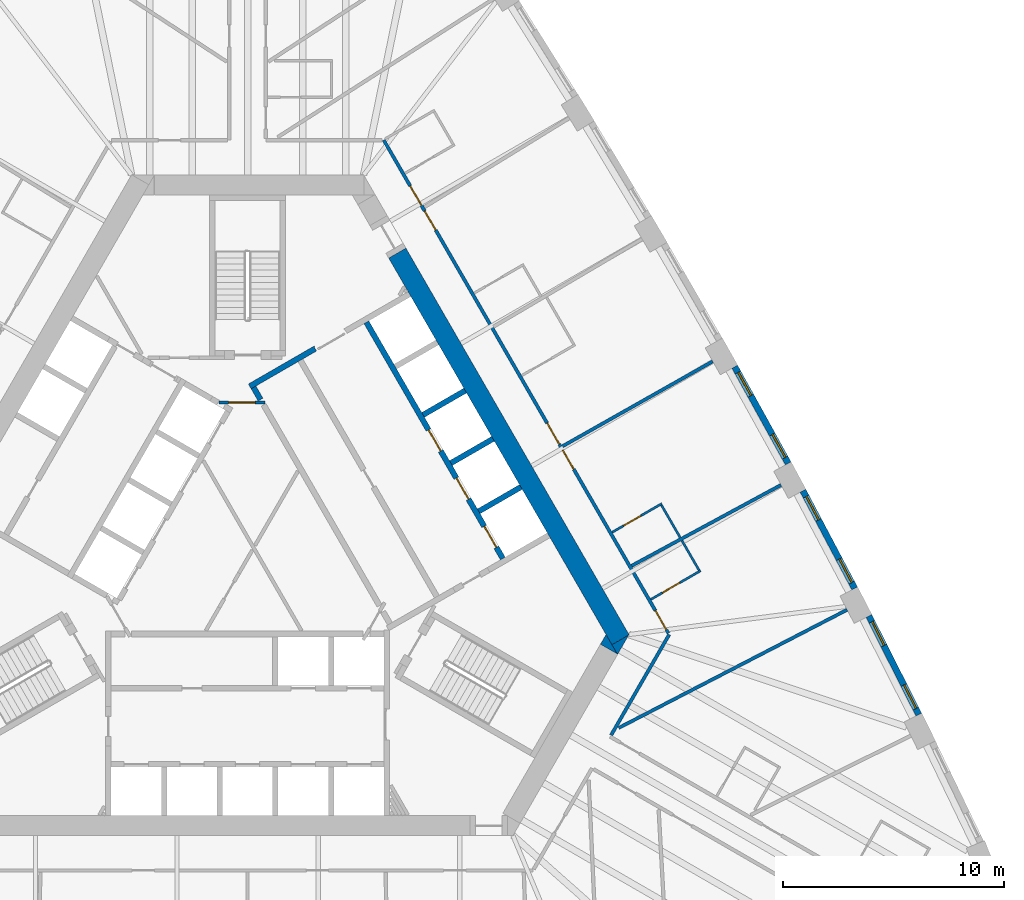
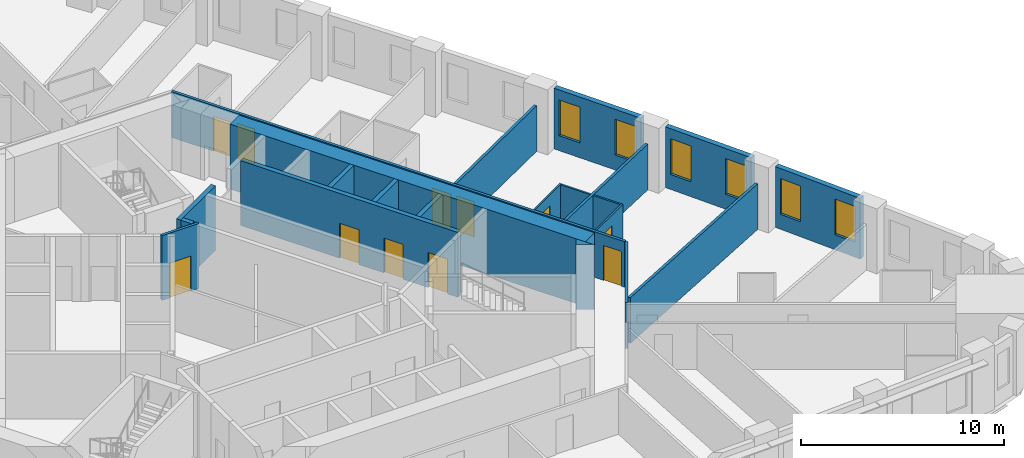
# One storey, part 8 of 12: 22 walls, 11 doors, 6 windows, 17 openings.
"""IFC4 building model written with IfcOpenShell, lengths in metres."""

from ifc_helpers import new_model, si_unit, direction, frame, frame_2d, origin, place, context, subcontext, project, spatial, polyline, rectangle, outline, extrude, material, layer, layer_set, type_object, element, fill, save


model = new_model("IFC4")

# Units and contexts
model_context = context("Model", 3, precision=1e-05, world=origin(), true_north=direction((0.0, 1.0)))
body_context = subcontext(model_context, "Body", "Model", "MODEL_VIEW")
ifc_project = project(units=[si_unit("LENGTHUNIT", "METRE"), si_unit("AREAUNIT", "SQUARE_METRE"), si_unit("VOLUMEUNIT", "CUBIC_METRE"), si_unit("PLANEANGLEUNIT", "RADIAN"), si_unit("MASSUNIT", "GRAM", prefix="KILO")], contexts=[model_context])

# Site, building, storey
site_placement = place(None, origin())
site = spatial("IfcSite", under=ifc_project, at=site_placement, CompositionType="ELEMENT")
building_placement = place(site_placement, origin())
building = spatial("IfcBuilding", under=site, at=building_placement, Name="Mestral Congress Tower", CompositionType="ELEMENT")
storey_placement = place(building_placement, frame((0.0, 0.0, 47.10009765625)))
storey = spatial("IfcBuildingStorey", under=building, at=storey_placement, Name="L10", CompositionType="ELEMENT", Elevation=47.10009765625)

# Walls
ifc_material_1 = material(Name="Concrete C60/75", Category="concrete")
ifc_layer_1 = layer(ifc_material_1, 0.89990234375)
ifc_layer_set_1 = layer_set([ifc_layer_1], Name="Concrete C60/75")
wall_type_1 = type_object("IfcWallType", Name="Core wall RC 900", PredefinedType="SOLIDWALL", material=ifc_layer_set_1)
wall_1_placement = place(storey_placement, frame((6.77587890625, 13.36376953125, 0.0), z_axis=(0.0, 0.0, 1.0), x_axis=(0.500004177138, -0.8660229921, 0.0)))
element("IfcWall", 1, at=wall_1_placement, inside=storey, type_object=wall_type_1, Name="L10 core wall", PredefinedType="SOLIDWALL", context=body_context, shape_type="SweptSolid", body=[
    extrude(rectangle(XDim=20.203857421875, YDim=0.89990234375, at=frame_2d((10.10205078125, 0.0))), origin(), (0.0, 0.0, 1.0), 3.89990234375),
])
placement = place(storey_placement, origin())
element("IfcWall", 2, at=placement, inside=storey, type_object=wall_type_1, Name="L10 core wall", PredefinedType="SOLIDWALL", context=body_context, shape_type="SweptSolid", body=[
    extrude(outline(polyline([(16.7431640625, -4.800048828125), (16.4892578125, -4.360107421875), (17.251220703125, -3.920166015625), (16.7431640625, -4.800048828125)])), origin(), (0.0, 0.0, 1.0), 3.89990234375),
])
element("IfcWall", 3, at=placement, inside=storey, type_object=wall_type_1, Name="L10 core wall", PredefinedType="SOLIDWALL", context=body_context, shape_type="SweptSolid", body=[
    extrude(outline(polyline([(16.223388671875, -3.89990234375), (16.731689453125, -4.780029296875), (15.969482421875, -4.33984375), (16.223388671875, -3.89990234375)])), origin(), (0.0, 0.0, 1.0), 3.89990234375),
])

# Wall, openings, windows
ifc_material_2 = material(Name="Precast concrete C40/50 with limestone facing", Category="masonry")
ifc_layer_2 = layer(ifc_material_2, 0.2900390625)
ifc_layer_set_2 = layer_set([ifc_layer_2], Name="Precast concrete C40/50 with limestone facing")
wall_type_2 = type_object("IfcWallType", Name="Facade stone wall 290", PredefinedType="SOLIDWALL", material=ifc_layer_set_2)
wall_4_placement = place(storey_placement, frame((30.376953125, -7.5205078125, 0.0), z_axis=(0.0, 0.0, 1.0), x_axis=(-0.451233929645, 0.892405704115, 0.0)))
wall_4 = element("IfcWall", 4, at=wall_4_placement, inside=storey, type_object=wall_type_2, Name="Facade wall F1-01", PredefinedType="SOLIDWALL", context=body_context, shape_type="SweptSolid", body=[
    extrude(rectangle(XDim=4.998291015625, YDim=0.2900390625, at=frame_2d((2.4990234375, 0.0))), origin(), (0.0, 0.0, 1.0), 3.64990234375),
])
opening_1_placement = place(wall_4_placement, frame((0.297119140625, 0.0, 0.89990234375)))
opening_1 = element("IfcOpeningElement", 5, at=opening_1_placement, cuts=wall_4, Name="Opening W1", PredefinedType="OPENING", context=body_context, shape_type="SweptSolid", body=[
    extrude(rectangle(XDim=1.199951171875, YDim=2.14990234375, at=frame_2d((0.60009765625, 1.074951171875))), frame((0.0, 0.155029296875, 0.0), z_axis=(0.0, -1.0, 0.0), x_axis=(1.0, 0.0, 0.0)), (0.0, 0.0, 1.0), 0.31005859375),
])
opening_2_placement = place(wall_4_placement, frame((3.501220703125, 0.0, 0.89990234375)))
opening_2 = element("IfcOpeningElement", 6, at=opening_2_placement, cuts=wall_4, Name="Opening W1", PredefinedType="OPENING", context=body_context, shape_type="SweptSolid", body=[
    extrude(rectangle(XDim=1.199951171875, YDim=2.14990234375, at=frame_2d((0.60009765625, 1.074951171875))), frame((0.0, 0.155029296875, 0.0), z_axis=(0.0, -1.0, 0.0), x_axis=(1.0, 0.0, 0.0)), (0.0, 0.0, 1.0), 0.31005859375),
])
ifc_material_3 = material(Name="Clear low-emissivity double glazing", Category="glass")
window_type = type_object("IfcWindowType", Name="Facade punched window 1200 x 2150 sill 900", PartitioningType="DOUBLE_PANEL_VERTICAL", PredefinedType="WINDOW", material=ifc_material_3)
window_1_placement = place(opening_1_placement, origin())
window_1 = element("IfcWindow", 7, at=window_1_placement, inside=storey, type_object=window_type, Name="Window F1-01a", OverallHeight=2.14990234375, OverallWidth=1.199951171875, PartitioningType="DOUBLE_PANEL_VERTICAL", PredefinedType="WINDOW", context=body_context, shape_type="SweptSolid", body=[
    extrude(rectangle(XDim=1.199951171875, YDim=2.14990234375, at=frame_2d((0.60009765625, 1.074951171875))), frame((0.0, 0.01513671875, 0.0), z_axis=(0.0, -1.0, 0.0), x_axis=(1.0, 0.0, 0.0)), (0.0, 0.0, 1.0), 0.06005859375),
])
fill(opening_1, window_1)
window_2_placement = place(opening_2_placement, origin())
window_2 = element("IfcWindow", 8, at=window_2_placement, inside=storey, type_object=window_type, Name="Window F1-01b", OverallHeight=2.14990234375, OverallWidth=1.199951171875, PartitioningType="DOUBLE_PANEL_VERTICAL", PredefinedType="WINDOW", context=body_context, shape_type="SweptSolid", body=[
    extrude(rectangle(XDim=1.199951171875, YDim=2.14990234375, at=frame_2d((0.60009765625, 1.074951171875))), frame((0.0, 0.01513671875, 0.0), z_axis=(0.0, -1.0, 0.0), x_axis=(1.0, 0.0, 0.0)), (0.0, 0.0, 1.0), 0.06005859375),
])
fill(opening_2, window_2)

wall_5_placement = place(storey_placement, frame((27.47509765625, -1.810302734375, 0.0), z_axis=(0.0, 0.0, 1.0), x_axis=(-0.467629620899, 0.883924509026, 0.0)))
wall_5 = element("IfcWall", 9, at=wall_5_placement, inside=storey, type_object=wall_type_2, Name="Facade wall F1-02", PredefinedType="SOLIDWALL", context=body_context, shape_type="SweptSolid", body=[
    extrude(rectangle(XDim=4.998291015625, YDim=0.2900390625, at=frame_2d((2.4990234375, 0.0))), origin(), (0.0, 0.0, 1.0), 3.64990234375),
])
opening_3_placement = place(wall_5_placement, frame((0.297119140625, 0.0, 0.89990234375)))
opening_3 = element("IfcOpeningElement", 10, at=opening_3_placement, cuts=wall_5, Name="Opening W1", PredefinedType="OPENING", context=body_context, shape_type="SweptSolid", body=[
    extrude(rectangle(XDim=1.199951171875, YDim=2.14990234375, at=frame_2d((0.60009765625, 1.074951171875))), frame((0.0, 0.155029296875, 0.0), z_axis=(0.0, -1.0, 0.0), x_axis=(1.0, 0.0, 0.0)), (0.0, 0.0, 1.0), 0.31005859375),
])
opening_4_placement = place(wall_5_placement, frame((3.501220703125, 0.0, 0.89990234375)))
opening_4 = element("IfcOpeningElement", 11, at=opening_4_placement, cuts=wall_5, Name="Opening W1", PredefinedType="OPENING", context=body_context, shape_type="SweptSolid", body=[
    extrude(rectangle(XDim=1.199951171875, YDim=2.14990234375, at=frame_2d((0.60009765625, 1.074951171875))), frame((0.0, 0.155029296875, 0.0), z_axis=(0.0, -1.0, 0.0), x_axis=(1.0, 0.0, 0.0)), (0.0, 0.0, 1.0), 0.31005859375),
])
window_3_placement = place(opening_3_placement, origin())
window_3 = element("IfcWindow", 12, at=window_3_placement, inside=storey, type_object=window_type, Name="Window F1-02a", OverallHeight=2.14990234375, OverallWidth=1.199951171875, PartitioningType="DOUBLE_PANEL_VERTICAL", PredefinedType="WINDOW", context=body_context, shape_type="SweptSolid", body=[
    extrude(rectangle(XDim=1.199951171875, YDim=2.14990234375, at=frame_2d((0.60009765625, 1.074951171875))), frame((0.0, 0.01513671875, 0.0), z_axis=(0.0, -1.0, 0.0), x_axis=(1.0, 0.0, 0.0)), (0.0, 0.0, 1.0), 0.06005859375),
])
fill(opening_3, window_3)
window_4_placement = place(opening_4_placement, origin())
window_4 = element("IfcWindow", 13, at=window_4_placement, inside=storey, type_object=window_type, Name="Window F1-02b", OverallHeight=2.14990234375, OverallWidth=1.199951171875, PartitioningType="DOUBLE_PANEL_VERTICAL", PredefinedType="WINDOW", context=body_context, shape_type="SweptSolid", body=[
    extrude(rectangle(XDim=1.199951171875, YDim=2.14990234375, at=frame_2d((0.60009765625, 1.074951171875))), frame((0.0, 0.01513671875, 0.0), z_axis=(0.0, -1.0, 0.0), x_axis=(1.0, 0.0, 0.0)), (0.0, 0.0, 1.0), 0.06005859375),
])
fill(opening_4, window_4)

wall_6_placement = place(storey_placement, frame((24.46826171875, 3.845703125, 0.0), z_axis=(0.0, 0.0, 1.0), x_axis=(-0.483912572871, 0.875116347589, 0.0)))
wall_6 = element("IfcWall", 14, at=wall_6_placement, inside=storey, type_object=wall_type_2, Name="Facade wall F1-03", PredefinedType="SOLIDWALL", context=body_context, shape_type="SweptSolid", body=[
    extrude(rectangle(XDim=4.998291015625, YDim=0.2900390625, at=frame_2d((2.4990234375, 0.0))), origin(), (0.0, 0.0, 1.0), 3.64990234375),
])
opening_5_placement = place(wall_6_placement, frame((0.297119140625, 0.0, 0.89990234375)))
opening_5 = element("IfcOpeningElement", 15, at=opening_5_placement, cuts=wall_6, Name="Opening W1", PredefinedType="OPENING", context=body_context, shape_type="SweptSolid", body=[
    extrude(rectangle(XDim=1.199951171875, YDim=2.14990234375, at=frame_2d((0.60009765625, 1.074951171875))), frame((0.0, 0.155029296875, 0.0), z_axis=(0.0, -1.0, 0.0), x_axis=(1.0, 0.0, 0.0)), (0.0, 0.0, 1.0), 0.31005859375),
])
opening_6_placement = place(wall_6_placement, frame((3.501220703125, 0.0, 0.89990234375)))
opening_6 = element("IfcOpeningElement", 16, at=opening_6_placement, cuts=wall_6, Name="Opening W1", PredefinedType="OPENING", context=body_context, shape_type="SweptSolid", body=[
    extrude(rectangle(XDim=1.199951171875, YDim=2.14990234375, at=frame_2d((0.60009765625, 1.074951171875))), frame((0.0, 0.155029296875, 0.0), z_axis=(0.0, -1.0, 0.0), x_axis=(1.0, 0.0, 0.0)), (0.0, 0.0, 1.0), 0.31005859375),
])
window_5_placement = place(opening_5_placement, origin())
window_5 = element("IfcWindow", 17, at=window_5_placement, inside=storey, type_object=window_type, Name="Window F1-03a", OverallHeight=2.14990234375, OverallWidth=1.199951171875, PartitioningType="DOUBLE_PANEL_VERTICAL", PredefinedType="WINDOW", context=body_context, shape_type="SweptSolid", body=[
    extrude(rectangle(XDim=1.199951171875, YDim=2.14990234375, at=frame_2d((0.60009765625, 1.074951171875))), frame((0.0, 0.01513671875, 0.0), z_axis=(0.0, -1.0, 0.0), x_axis=(1.0, 0.0, 0.0)), (0.0, 0.0, 1.0), 0.06005859375),
])
fill(opening_5, window_5)
window_6_placement = place(opening_6_placement, origin())
window_6 = element("IfcWindow", 18, at=window_6_placement, inside=storey, type_object=window_type, Name="Window F1-03b", OverallHeight=2.14990234375, OverallWidth=1.199951171875, PartitioningType="DOUBLE_PANEL_VERTICAL", PredefinedType="WINDOW", context=body_context, shape_type="SweptSolid", body=[
    extrude(rectangle(XDim=1.199951171875, YDim=2.14990234375, at=frame_2d((0.60009765625, 1.074951171875))), frame((0.0, 0.01513671875, 0.0), z_axis=(0.0, -1.0, 0.0), x_axis=(1.0, 0.0, 0.0)), (0.0, 0.0, 1.0), 0.06005859375),
])
fill(opening_6, window_6)

# Wall, opening, door
ifc_material_4 = material(Name="Gypsum board partition on metal studs with mineral wool", Category="composite")
ifc_layer_3 = layer(ifc_material_4, 0.10009765625)
ifc_layer_set_3 = layer_set([ifc_layer_3], Name="Gypsum board partition on metal studs with mineral wool")
wall_type_3 = type_object("IfcWallType", Name="Hotel partition wall 100", PredefinedType="PARTITIONING", material=ifc_layer_set_3)
wall_7_placement = place(storey_placement, frame((18.25048828125, -2.31103515625, 0.0), z_axis=(0.0, 0.0, 1.0), x_axis=(0.866021400173, 0.500006934395, 0.0)))
wall_7 = element("IfcWall", 19, at=wall_7_placement, inside=storey, type_object=wall_type_3, Name="L10-h-pod12a", PredefinedType="PARTITIONING", context=body_context, shape_type="SweptSolid", body=[
    extrude(rectangle(XDim=2.60009765625, YDim=0.10009765625, at=frame_2d((1.300048828125, 0.0))), origin(), (0.0, 0.0, 1.0), 2.75),
])
opening_7_placement = place(wall_7_placement, frame((0.60009765625, 0.0, 0.0)))
opening_7 = element("IfcOpeningElement", 20, at=opening_7_placement, cuts=wall_7, Name="Opening H02-017", PredefinedType="OPENING", context=body_context, shape_type="SweptSolid", body=[
    extrude(rectangle(XDim=0.89990234375, YDim=2.10009765625, at=frame_2d((0.449951171875, 1.050048828125))), frame((0.0, 0.06005859375, 0.0), z_axis=(0.0, -1.0, 0.0), x_axis=(1.0, 0.0, 0.0)), (0.0, 0.0, 1.0), 0.1201171875),
])
ifc_material_5 = material(Name="Timber veneer door leaf in timber frame", Category="wood")
door_type_1 = type_object("IfcDoorType", Name="Bathroom door 900", OperationType="SINGLE_SWING_LEFT", PredefinedType="DOOR", material=ifc_material_5)
door_1_placement = place(opening_7_placement, origin())
door_1 = element("IfcDoor", 21, at=door_1_placement, inside=storey, type_object=door_type_1, Name="L10-h-d017", OperationType="SINGLE_SWING_RIGHT", OverallHeight=2.10009765625, OverallWidth=0.89990234375, PredefinedType="DOOR", context=body_context, shape_type="SweptSolid", body=[
    extrude(rectangle(XDim=0.89990234375, YDim=2.10009765625, at=frame_2d((0.449951171875, 1.050048828125))), frame((0.0, 0.02490234375, 0.0), z_axis=(0.0, -1.0, 0.0), x_axis=(1.0, 0.0, 0.0)), (0.0, 0.0, 1.0), 0.050048828125),
])
fill(opening_7, door_1)

# Wall
wall_8_placement = place(storey_placement, frame((20.43408203125, -0.99267578125, 0.0), z_axis=(0.0, 0.0, 1.0), x_axis=(-0.500086022567, 0.865975732936, 0.0)))
element("IfcWall", 22, at=wall_8_placement, inside=storey, type_object=wall_type_3, Name="L10-h-pod12b", PredefinedType="PARTITIONING", context=body_context, shape_type="SweptSolid", body=[
    extrude(rectangle(XDim=1.550048828125, YDim=0.10009765625, at=frame_2d((0.77490234375, 0.0))), origin(), (0.0, 0.0, 1.0), 2.75),
])

# Wall, opening, door
wall_9_placement = place(storey_placement, frame((18.7490234375, 2.02587890625, 0.0), z_axis=(0.0, 0.0, 1.0), x_axis=(-0.866021400173, -0.500006934395, 0.0)))
wall_9 = element("IfcWall", 23, at=wall_9_placement, inside=storey, type_object=wall_type_3, Name="L10-h-pod13a", PredefinedType="PARTITIONING", context=body_context, shape_type="SweptSolid", body=[
    extrude(rectangle(XDim=2.60009765625, YDim=0.10009765625, at=frame_2d((1.300048828125, 0.0))), origin(), (0.0, 0.0, 1.0), 2.75),
])
opening_8_placement = place(wall_9_placement, frame((1.10009765625, 0.0, 0.0)))
opening_8 = element("IfcOpeningElement", 24, at=opening_8_placement, cuts=wall_9, Name="Opening H02-019", PredefinedType="OPENING", context=body_context, shape_type="SweptSolid", body=[
    extrude(rectangle(XDim=0.89990234375, YDim=2.10009765625, at=frame_2d((0.449951171875, 1.050048828125))), frame((0.0, 0.06005859375, 0.0), z_axis=(0.0, -1.0, 0.0), x_axis=(1.0, 0.0, 0.0)), (0.0, 0.0, 1.0), 0.1201171875),
])
door_2_placement = place(opening_8_placement, origin())
door_2 = element("IfcDoor", 25, at=door_2_placement, inside=storey, type_object=door_type_1, Name="L10-h-d019", OperationType="SINGLE_SWING_LEFT", OverallHeight=2.10009765625, OverallWidth=0.89990234375, PredefinedType="DOOR", context=body_context, shape_type="SweptSolid", body=[
    extrude(rectangle(XDim=0.89990234375, YDim=2.10009765625, at=frame_2d((0.449951171875, 1.050048828125))), frame((0.0, 0.02490234375, 0.0), z_axis=(0.0, -1.0, 0.0), x_axis=(1.0, 0.0, 0.0)), (0.0, 0.0, 1.0), 0.050048828125),
])
fill(opening_8, door_2)

# Walls
wall_10_placement = place(storey_placement, frame((18.730712890625, 1.95751953125, 0.0), z_axis=(0.0, 0.0, 1.0), x_axis=(0.499976720371, -0.866038843867, 0.0)))
element("IfcWall", 26, at=wall_10_placement, inside=storey, type_object=wall_type_3, Name="L10-h-pod13b", PredefinedType="PARTITIONING", context=body_context, shape_type="SweptSolid", body=[
    extrude(rectangle(XDim=1.68994140625, YDim=0.10009765625, at=frame_2d((0.844970703125, 0.0))), origin(), (0.0, 0.0, 1.0), 2.75),
])
ifc_layer_4 = layer(ifc_material_4, 0.14990234375)
ifc_layer_set_4 = layer_set([ifc_layer_4], Name="Gypsum board partition on metal studs with mineral wool")
wall_type_4 = type_object("IfcWallType", Name="Hotel partition wall 150", PredefinedType="PARTITIONING", material=ifc_layer_set_4)
wall_11_placement = place(storey_placement, frame((19.081298828125, -3.89990234375, 0.0), z_axis=(0.0, 0.0, 1.0), x_axis=(-0.499974327079, -0.866040225545, 0.0)))
element("IfcWall", 27, at=wall_11_placement, inside=storey, type_object=wall_type_4, Name="L10-h-cw02", PredefinedType="PARTITIONING", context=body_context, shape_type="SweptSolid", body=[
    extrude(rectangle(XDim=5.258056640625, YDim=0.14990234375, at=frame_2d((2.62890625, 0.0))), origin(), (0.0, 0.0, 1.0), 2.75),
])

# Wall, openings, doors
wall_12_placement = place(storey_placement, frame((6.1630859375, 18.47509765625, 0.0), z_axis=(0.0, 0.0, 1.0), x_axis=(0.500001317485, -0.866024643133, 0.0)))
wall_12 = element("IfcWall", 28, at=wall_12_placement, inside=storey, type_object=wall_type_4, Name="L10-h-cw03", PredefinedType="PARTITIONING", context=body_context, shape_type="SweptSolid", body=[
    extrude(rectangle(XDim=25.7666015625, YDim=0.14990234375, at=frame_2d((12.88330078125, 0.0))), origin(), (0.0, 0.0, 1.0), 2.75),
])
opening_9_placement = place(wall_12_placement, frame((24.58642578125, 0.0, 0.0)))
opening_9 = element("IfcOpeningElement", 29, at=opening_9_placement, cuts=wall_12, Name="Opening H02-016", PredefinedType="OPENING", context=body_context, shape_type="SweptSolid", body=[
    extrude(rectangle(XDim=1.0, YDim=2.10009765625, at=frame_2d((0.5, 1.050048828125))), frame((0.0, 0.0849609375, 0.0), z_axis=(0.0, -1.0, 0.0), x_axis=(1.0, 0.0, 0.0)), (0.0, 0.0, 1.0), 0.169921875),
])
opening_10_placement = place(wall_12_placement, frame((16.19580078125, 0.0, 0.0)))
opening_10 = element("IfcOpeningElement", 30, at=opening_10_placement, cuts=wall_12, Name="Opening H02-018", PredefinedType="OPENING", context=body_context, shape_type="SweptSolid", body=[
    extrude(rectangle(XDim=1.0, YDim=2.10009765625, at=frame_2d((0.5, 1.050048828125))), frame((0.0, 0.0849609375, 0.0), z_axis=(0.0, -1.0, 0.0), x_axis=(1.0, 0.0, 0.0)), (0.0, 0.0, 1.0), 0.169921875),
])
opening_11_placement = place(wall_12_placement, frame((14.788818359375, 0.0, 0.0)))
opening_11 = element("IfcOpeningElement", 31, at=opening_11_placement, cuts=wall_12, Name="Opening H02-020", PredefinedType="OPENING", context=body_context, shape_type="SweptSolid", body=[
    extrude(rectangle(XDim=1.10009765625, YDim=2.10009765625, at=frame_2d((0.550048828125, 1.050048828125))), frame((0.0, 0.0849609375, 0.0), z_axis=(0.0, -1.0, 0.0), x_axis=(1.0, 0.0, 0.0)), (0.0, 0.0, 1.0), 0.169921875),
])
opening_12_placement = place(wall_12_placement, frame((3.698486328125, 0.0, 0.0)))
opening_12 = element("IfcOpeningElement", 32, at=opening_12_placement, cuts=wall_12, Name="Opening H02-022", PredefinedType="OPENING", context=body_context, shape_type="SweptSolid", body=[
    extrude(rectangle(XDim=1.0, YDim=2.10009765625, at=frame_2d((0.5, 1.050048828125))), frame((0.0, 0.0849609375, 0.0), z_axis=(0.0, -1.0, 0.0), x_axis=(1.0, 0.0, 0.0)), (0.0, 0.0, 1.0), 0.169921875),
])
opening_13_placement = place(wall_12_placement, frame((2.39111328125, 0.0, 0.0)))
opening_13 = element("IfcOpeningElement", 33, at=opening_13_placement, cuts=wall_12, Name="Opening H02-024", PredefinedType="OPENING", context=body_context, shape_type="SweptSolid", body=[
    extrude(rectangle(XDim=1.0, YDim=2.10009765625, at=frame_2d((0.5, 1.050048828125))), frame((0.0, 0.0849609375, 0.0), z_axis=(0.0, -1.0, 0.0), x_axis=(1.0, 0.0, 0.0)), (0.0, 0.0, 1.0), 0.169921875),
])
ifc_material_6 = material(Name="Timber veneer door leaf in metal frame", Category="wood")
door_type_2 = type_object("IfcDoorType", Name="Accessible room entrance door 1100", OperationType="SINGLE_SWING_LEFT", PredefinedType="DOOR", material=ifc_material_6)
door_3_placement = place(opening_11_placement, origin())
door_3 = element("IfcDoor", 34, at=door_3_placement, inside=storey, type_object=door_type_2, Name="L10-h-d020", OperationType="SINGLE_SWING_RIGHT", OverallHeight=2.10009765625, OverallWidth=1.10009765625, PredefinedType="DOOR", context=body_context, shape_type="SweptSolid", body=[
    extrude(rectangle(XDim=1.10009765625, YDim=2.10009765625, at=frame_2d((0.550048828125, 1.050048828125))), frame((0.0, 0.02490234375, 0.0), z_axis=(0.0, -1.0, 0.0), x_axis=(1.0, 0.0, 0.0)), (0.0, 0.0, 1.0), 0.050048828125),
])
fill(opening_11, door_3)
door_type_3 = type_object("IfcDoorType", Name="Guest room entrance door 1000", OperationType="SINGLE_SWING_LEFT", PredefinedType="DOOR", material=ifc_material_6)
door_4_placement = place(opening_9_placement, origin())
door_4 = element("IfcDoor", 35, at=door_4_placement, inside=storey, type_object=door_type_3, Name="L10-h-d016", OperationType="SINGLE_SWING_RIGHT", OverallHeight=2.10009765625, OverallWidth=1.0, PredefinedType="DOOR", context=body_context, shape_type="SweptSolid", body=[
    extrude(rectangle(XDim=1.0, YDim=2.10009765625, at=frame_2d((0.5, 1.050048828125))), frame((0.0, 0.02490234375, 0.0), z_axis=(0.0, -1.0, 0.0), x_axis=(1.0, 0.0, 0.0)), (0.0, 0.0, 1.0), 0.050048828125),
])
fill(opening_9, door_4)
door_5_placement = place(opening_10_placement, origin())
door_5 = element("IfcDoor", 36, at=door_5_placement, inside=storey, type_object=door_type_3, Name="L10-h-d018", OperationType="SINGLE_SWING_LEFT", OverallHeight=2.10009765625, OverallWidth=1.0, PredefinedType="DOOR", context=body_context, shape_type="SweptSolid", body=[
    extrude(rectangle(XDim=1.0, YDim=2.10009765625, at=frame_2d((0.5, 1.050048828125))), frame((0.0, 0.02490234375, 0.0), z_axis=(0.0, -1.0, 0.0), x_axis=(1.0, 0.0, 0.0)), (0.0, 0.0, 1.0), 0.050048828125),
])
fill(opening_10, door_5)
door_6_placement = place(opening_12_placement, origin())
door_6 = element("IfcDoor", 37, at=door_6_placement, inside=storey, type_object=door_type_3, Name="L10-h-d022", OperationType="SINGLE_SWING_LEFT", OverallHeight=2.10009765625, OverallWidth=1.0, PredefinedType="DOOR", context=body_context, shape_type="SweptSolid", body=[
    extrude(rectangle(XDim=1.0, YDim=2.10009765625, at=frame_2d((0.5, 1.050048828125))), frame((0.0, 0.02490234375, 0.0), z_axis=(0.0, -1.0, 0.0), x_axis=(1.0, 0.0, 0.0)), (0.0, 0.0, 1.0), 0.050048828125),
])
fill(opening_12, door_6)
door_7_placement = place(opening_13_placement, origin())
door_7 = element("IfcDoor", 38, at=door_7_placement, inside=storey, type_object=door_type_3, Name="L10-h-d024", OperationType="SINGLE_SWING_RIGHT", OverallHeight=2.10009765625, OverallWidth=1.0, PredefinedType="DOOR", context=body_context, shape_type="SweptSolid", body=[
    extrude(rectangle(XDim=1.0, YDim=2.10009765625, at=frame_2d((0.5, 1.050048828125))), frame((0.0, 0.02490234375, 0.0), z_axis=(0.0, -1.0, 0.0), x_axis=(1.0, 0.0, 0.0)), (0.0, 0.0, 1.0), 0.050048828125),
])
fill(opening_13, door_7)

# Walls
wall_13_placement = place(storey_placement, frame((21.051513671875, 8.464111328125, 0.0), z_axis=(0.0, 0.0, 1.0), x_axis=(-0.87059371954, -0.492002617368, 0.0)))
element("IfcWall", 39, at=wall_13_placement, inside=storey, type_object=wall_type_4, Name="L10-h-pw21", PredefinedType="PARTITIONING", context=body_context, shape_type="SweptSolid", body=[
    extrude(rectangle(XDim=7.803466796875, YDim=0.14990234375, at=frame_2d((3.90185546875, 0.0))), origin(), (0.0, 0.0, 1.0), 2.75),
])
wall_14_placement = place(storey_placement, frame((27.133544921875, -2.779052734375, 0.0), z_axis=(0.0, 0.0, 1.0), x_axis=(-0.8882049501, -0.459447457951, 0.0)))
element("IfcWall", 40, at=wall_14_placement, inside=storey, type_object=wall_type_4, Name="L10-h-pw23", PredefinedType="PARTITIONING", context=body_context, shape_type="SweptSolid", body=[
    extrude(rectangle(XDim=11.63818359375, YDim=0.14990234375, at=frame_2d((5.819091796875, 0.0))), origin(), (0.0, 0.0, 1.0), 2.75),
])
wall_15_placement = place(storey_placement, frame((24.14453125, 2.87060546875, 0.0), z_axis=(0.0, 0.0, 1.0), x_axis=(-0.879551725039, -0.475803281809, 0.0)))
element("IfcWall", 41, at=wall_15_placement, inside=storey, type_object=wall_type_4, Name="L10-h-pw24", PredefinedType="PARTITIONING", context=body_context, shape_type="SweptSolid", body=[
    extrude(rectangle(XDim=7.68798828125, YDim=0.14990234375, at=frame_2d((3.843994140625, 0.0))), origin(), (0.0, 0.0, 1.0), 2.75),
])
ifc_layer_5 = layer(ifc_material_1, 0.25)
ifc_layer_set_5 = layer_set([ifc_layer_5], Name="Concrete C60/75")
wall_type_5 = type_object("IfcWallType", Name="Shaft wall RC 250", PredefinedType="SOLIDWALL", material=ifc_layer_set_5)
for number, where, z_axis, x_axis, name in (
    (42, (10.463623046875, 1.676513671875, 0.0), (0.0, 0.0, 1.0), (0.86605622881, 0.499946605688, 0.0), "L10 core wall"),
    (43, (9.20361328125, 3.85888671875, 0.0), (0.0, 0.0, 1.0), (0.86605622881, 0.499946605688, 0.0), "L10 core wall"),
    (44, (7.943603515625, 6.041259765625, 0.0), (0.0, 0.0, 1.0), (0.86605622881, 0.499946605688, 0.0), "L10 core wall"),
):
    element("IfcWall", number, at=place(storey_placement, frame(where, z_axis=z_axis, x_axis=x_axis)), inside=storey, type_object=wall_type_5, Name=name, PredefinedType="SOLIDWALL", context=body_context, shape_type="SweptSolid", body=[
        extrude(rectangle(XDim=2.199951171875, YDim=0.25, at=frame_2d((1.10009765625, 0.0))), origin(), (0.0, 0.0, 1.0), 3.89990234375),
    ])
element("IfcWall", 45, at=placement, inside=storey, type_object=wall_type_5, Name="L10 core wall", PredefinedType="SOLIDWALL", context=body_context, shape_type="SweptSolid", body=[
    extrude(outline(polyline([(2.776123046875, 8.73291015625), (2.49853515625, 8.57275390625), (2.498291015625, 8.57275390625), (2.498291015625, 8.57275390625), (2.28173828125, 8.44775390625), (2.28173828125, 8.44775390625), (0.376708984375, 7.34765625), (0.16015625, 7.22265625), (0.03515625, 7.439208984375), (3.031982421875, 9.16943359375), (3.02978515625, 9.152099609375), (3.029541015625, 9.132568359375), (3.03125, 9.113037109375), (3.03466796875, 9.09375), (3.0400390625, 9.074951171875), (3.04736328125, 9.056640625), (3.05615234375, 9.0390625), (3.118896484375, 8.930908203125), (2.776123046875, 8.73291015625)])), origin(), (0.0, 0.0, 1.0), 3.89990234375),
])
wall_17_placement = place(storey_placement, frame((0.268310546875, 7.28515625, 0.0), z_axis=(0.0, 0.0, 1.0), x_axis=(0.500098681536, -0.865968422476, 0.0)))
element("IfcWall", 46, at=wall_17_placement, inside=storey, type_object=wall_type_5, Name="L10 core wall", PredefinedType="SOLIDWALL", context=body_context, shape_type="SweptSolid", body=[
    extrude(rectangle(XDim=0.636474609375, YDim=0.25, at=frame_2d((0.318359375, 0.0))), origin(), (0.0, 0.0, 1.0), 3.89990234375),
])

# Wall, openings, doors
wall_18_placement = place(storey_placement, frame((11.552978515625, -0.460205078125, 0.0), z_axis=(0.0, 0.0, 1.0), x_axis=(-0.500006514828, 0.866021642414, 0.0)))
wall_18 = element("IfcWall", 47, at=wall_18_placement, inside=storey, type_object=wall_type_5, Name="L10 door wall", PredefinedType="SOLIDWALL", context=body_context, shape_type="SweptSolid", body=[
    extrude(rectangle(XDim=12.349853515625, YDim=0.25, at=frame_2d((6.1748046875, 0.0))), origin(), (0.0, 0.0, 1.0), 3.89990234375),
])
opening_14_placement = place(wall_18_placement, frame((0.5849609375, 0.0, 0.0)))
opening_14 = element("IfcOpeningElement", 48, at=opening_14_placement, cuts=wall_18, Name="Opening LD-NEA1", PredefinedType="OPENING", context=body_context, shape_type="SweptSolid", body=[
    extrude(rectangle(XDim=1.10009765625, YDim=2.10009765625, at=frame_2d((0.550048828125, 1.050048828125))), frame((0.0, 0.135009765625, 0.0), z_axis=(0.0, -1.0, 0.0), x_axis=(1.0, 0.0, 0.0)), (0.0, 0.0, 1.0), 0.27001953125),
])
opening_15_placement = place(wall_18_placement, frame((3.10498046875, 0.0, 0.0)))
opening_15 = element("IfcOpeningElement", 49, at=opening_15_placement, cuts=wall_18, Name="Opening LD-NEA2", PredefinedType="OPENING", context=body_context, shape_type="SweptSolid", body=[
    extrude(rectangle(XDim=1.10009765625, YDim=2.10009765625, at=frame_2d((0.550048828125, 1.050048828125))), frame((0.0, 0.135009765625, 0.0), z_axis=(0.0, -1.0, 0.0), x_axis=(1.0, 0.0, 0.0)), (0.0, 0.0, 1.0), 0.27001953125),
])
opening_16_placement = place(wall_18_placement, frame((5.625, 0.0, 0.0)))
opening_16 = element("IfcOpeningElement", 50, at=opening_16_placement, cuts=wall_18, Name="Opening LD-NEA3", PredefinedType="OPENING", context=body_context, shape_type="SweptSolid", body=[
    extrude(rectangle(XDim=1.10009765625, YDim=2.10009765625, at=frame_2d((0.550048828125, 1.050048828125))), frame((0.0, 0.135009765625, 0.0), z_axis=(0.0, -1.0, 0.0), x_axis=(1.0, 0.0, 0.0)), (0.0, 0.0, 1.0), 0.27001953125),
])
ifc_material_7 = material(Name="Fire-rated steel door set", Category="steel")
door_type_4 = type_object("IfcDoorType", Name="Core door LD 1100x2100", OperationType="DOUBLE_DOOR_SLIDING", PredefinedType="DOOR", material=ifc_material_7)
door_8_placement = place(opening_14_placement, origin())
door_8 = element("IfcDoor", 51, at=door_8_placement, inside=storey, type_object=door_type_4, Name="Door LD-NEA1", OperationType="DOUBLE_DOOR_SLIDING", OverallHeight=2.10009765625, OverallWidth=1.10009765625, PredefinedType="DOOR", context=body_context, shape_type="SweptSolid", body=[
    extrude(rectangle(XDim=1.10009765625, YDim=2.10009765625, at=frame_2d((0.550048828125, 1.050048828125))), frame((0.0, 0.02490234375, 0.0), z_axis=(0.0, -1.0, 0.0), x_axis=(1.0, 0.0, 0.0)), (0.0, 0.0, 1.0), 0.050048828125),
])
fill(opening_14, door_8)
door_9_placement = place(opening_15_placement, origin())
door_9 = element("IfcDoor", 52, at=door_9_placement, inside=storey, type_object=door_type_4, Name="Door LD-NEA2", OperationType="DOUBLE_DOOR_SLIDING", OverallHeight=2.10009765625, OverallWidth=1.10009765625, PredefinedType="DOOR", context=body_context, shape_type="SweptSolid", body=[
    extrude(rectangle(XDim=1.10009765625, YDim=2.10009765625, at=frame_2d((0.550048828125, 1.050048828125))), frame((0.0, 0.02490234375, 0.0), z_axis=(0.0, -1.0, 0.0), x_axis=(1.0, 0.0, 0.0)), (0.0, 0.0, 1.0), 0.050048828125),
])
fill(opening_15, door_9)
door_10_placement = place(opening_16_placement, origin())
door_10 = element("IfcDoor", 53, at=door_10_placement, inside=storey, type_object=door_type_4, Name="Door LD-NEA3", OperationType="DOUBLE_DOOR_SLIDING", OverallHeight=2.10009765625, OverallWidth=1.10009765625, PredefinedType="DOOR", context=body_context, shape_type="SweptSolid", body=[
    extrude(rectangle(XDim=1.10009765625, YDim=2.10009765625, at=frame_2d((0.550048828125, 1.050048828125))), frame((0.0, 0.02490234375, 0.0), z_axis=(0.0, -1.0, 0.0), x_axis=(1.0, 0.0, 0.0)), (0.0, 0.0, 1.0), 0.050048828125),
])
fill(opening_16, door_10)

# Wall, opening, door
ifc_layer_6 = layer(ifc_material_1, 0.14990234375)
ifc_layer_set_6 = layer_set([ifc_layer_6], Name="Concrete C60/75")
wall_type_6 = type_object("IfcWallType", Name="Shaft wall RC 250 door-wall 150", PredefinedType="SOLIDWALL", material=ifc_layer_set_6)
wall_19_placement = place(storey_placement, frame((-1.303466796875, 6.60009765625, 0.0), z_axis=(0.0, 0.0, 1.0), x_axis=(1.0, 0.0, 0.0)))
wall_19 = element("IfcWall", 54, at=wall_19_placement, inside=storey, type_object=wall_type_6, Name="L10 door wall", PredefinedType="PARTITIONING", context=body_context, shape_type="SweptSolid", body=[
    extrude(rectangle(XDim=2.099853515625, YDim=0.14990234375, at=frame_2d((1.0498046875, 0.0))), origin(), (0.0, 0.0, 1.0), 3.89990234375),
])
opening_17_placement = place(wall_19_placement, frame((0.449951171875, 0.0, 0.0)))
opening_17 = element("IfcOpeningElement", 55, at=opening_17_placement, cuts=wall_19, Name="Opening CD2-HUB1", PredefinedType="OPENING", context=body_context, shape_type="SweptSolid", body=[
    extrude(rectangle(XDim=1.199951171875, YDim=2.10009765625, at=frame_2d((0.60009765625, 1.050048828125))), frame((0.0, 0.0849609375, 0.0), z_axis=(0.0, -1.0, 0.0), x_axis=(1.0, 0.0, 0.0)), (0.0, 0.0, 1.0), 0.169921875),
])
door_type_5 = type_object("IfcDoorType", Name="Core door CD 1200x2100", OperationType="SINGLE_SWING_LEFT", PredefinedType="DOOR", material=ifc_material_7)
door_11_placement = place(opening_17_placement, origin())
door_11 = element("IfcDoor", 56, at=door_11_placement, inside=storey, type_object=door_type_5, Name="Door CD2-HUB1", OperationType="SINGLE_SWING_LEFT", OverallHeight=2.10009765625, OverallWidth=1.199951171875, PredefinedType="DOOR", context=body_context, shape_type="SweptSolid", body=[
    extrude(rectangle(XDim=1.199951171875, YDim=2.10009765625, at=frame_2d((0.60009765625, 1.050048828125))), frame((0.0, 0.02490234375, 0.0), z_axis=(0.0, -1.0, 0.0), x_axis=(1.0, 0.0, 0.0)), (0.0, 0.0, 1.0), 0.050048828125),
])
fill(opening_17, door_11)

save(model, "model.ifc")
